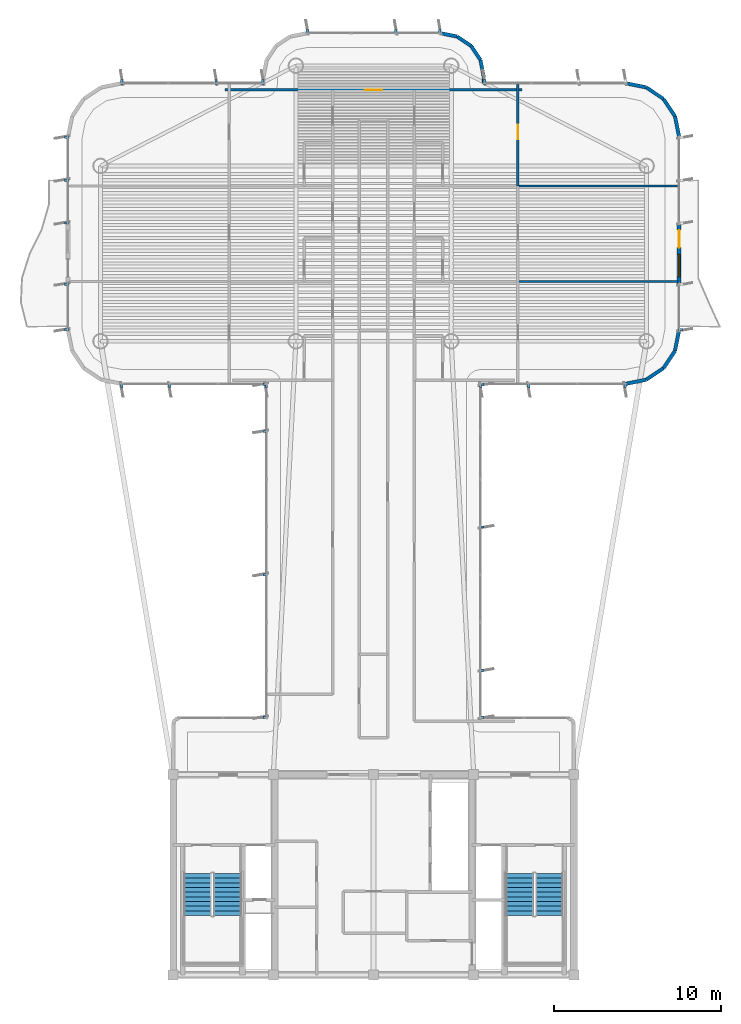
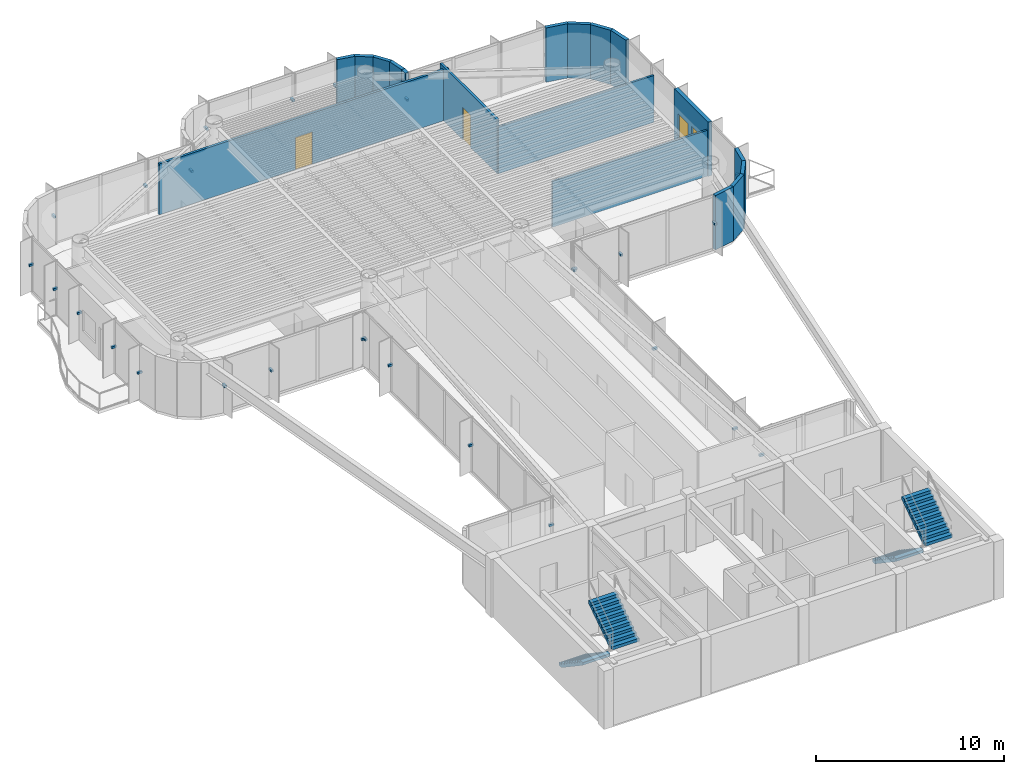
# One storey, part 13 of 16: 27 discrete accessories, 18 walls, 4 stair flights, 3 doors, 1 window, 4 openings, 2 elements without a shape of their own.
"""IFC4 building model written with IfcOpenShell, lengths in metres."""

from ifc_helpers import new_model, si_unit, direction, frame, frame_2d, origin, origin_2d, place, context, subcontext, project, spatial, polyline, rectangle, outline, extrude, source, transform, mapped, material, layer, layer_set, type_object, element, fill, aggregate, save


model = new_model("IFC4")

# Units and contexts
model_context = context("Model", 3, precision=1e-05, world=origin(), true_north=direction((0.0, 1.0)))
body_context = subcontext(model_context, "Body", "Model", "MODEL_VIEW")
ifc_project = project(units=[si_unit("LENGTHUNIT", "METRE"), si_unit("AREAUNIT", "SQUARE_METRE"), si_unit("VOLUMEUNIT", "CUBIC_METRE"), si_unit("PLANEANGLEUNIT", "RADIAN"), si_unit("MASSUNIT", "GRAM", prefix="KILO")], contexts=[model_context])

# Site, building, storey
site_placement = place(None, origin())
site = spatial("IfcSite", under=ifc_project, at=site_placement, CompositionType="ELEMENT")
building_placement = place(site_placement, origin())
building = spatial("IfcBuilding", under=site, at=building_placement, Name="Brelvock Crest Care Tower", CompositionType="ELEMENT")
storey_placement = place(building_placement, frame((0.0, 0.0, 234.360107421875)))
storey = spatial("IfcBuildingStorey", under=building, at=storey_placement, Name="L59", CompositionType="ELEMENT", Elevation=234.360107421875)

# Wall, openings, door, window
ifc_material_1 = material(Name="Precast concrete N40 (40 MPa)", Category="concrete")
ifc_layer_1 = layer(ifc_material_1, 0.239990234375, Name="WL-EX1")
ifc_layer_set_1 = layer_set([ifc_layer_1], Name="Precast concrete N40 (40 MPa)")
wall_type_1 = type_object("IfcWallType", Name="WL-EX1", PredefinedType="SOLIDWALL", material=ifc_layer_set_1)
wall_1_placement = place(storey_placement, frame((54.300048828125, 51.0, 0.0), z_axis=(0.0, 0.0, 1.0), x_axis=(0.0, -1.0, 0.0)))
wall_1 = element("IfcWall", 1, at=wall_1_placement, inside=storey, type_object=wall_type_1, Name="L59 Exterior Spandrel Wall WL-BAL-L59-E", PredefinedType="SOLIDWALL", context=body_context, shape_type="SweptSolid", body=[
    extrude(rectangle(XDim=3.60009765625, YDim=0.239990234375, at=frame_2d((1.800048828125, 0.0))), origin(), (0.0, 0.0, 1.0), 3.52978515625),
])
opening_1_placement = place(wall_1_placement, frame((0.39990234375, 0.0, 0.0)))
opening_1 = element("IfcOpeningElement", 2, at=opening_1_placement, cuts=wall_1, Name="Opening BD-1", PredefinedType="OPENING", context=body_context, shape_type="SweptSolid", body=[
    extrude(rectangle(XDim=1.050048828125, YDim=2.14990234375, at=origin_2d()), frame((0.52490234375, 0.1298828125, 1.074951171875), z_axis=(0.0, -1.0, 0.0), x_axis=(1.0, 0.0, 0.0)), (0.0, 0.0, 1.0), 0.260009765625),
])
opening_2_placement = place(wall_1_placement, frame((1.85009765625, 0.0, 0.85009765625)))
opening_2 = element("IfcOpeningElement", 3, at=opening_2_placement, cuts=wall_1, Name="Opening W-01", PredefinedType="OPENING", context=body_context, shape_type="SweptSolid", body=[
    extrude(rectangle(XDim=1.35009765625, YDim=1.35009765625, at=origin_2d()), frame((0.675048828125, 0.1298828125, 0.675048828125), z_axis=(0.0, -1.0, 0.0), x_axis=(1.0, 0.0, 0.0)), (0.0, 0.0, 1.0), 0.260009765625),
])
ifc_material_2 = material(Name="Dark Glass Double Glazed Low-E", Category="glass")
door_type_1 = type_object("IfcDoorType", Name="DR-BAL1", OperationType="NOTDEFINED", PredefinedType="DOOR", material=ifc_material_2)
shared_shape_1 = source(origin(), body_context, "Body", "SweptSolid", [
    extrude(rectangle(XDim=1.050048828125, YDim=2.14990234375, at=origin_2d()), frame((0.52490234375, 0.02490234375, 1.074951171875), z_axis=(0.0, -1.0, 0.0), x_axis=(1.0, 0.0, 0.0)), (0.0, 0.0, 1.0), 0.050048828125),
])
door_1_placement = place(opening_1_placement, origin())
door_1 = element("IfcDoor", 4, at=door_1_placement, inside=storey, type_object=door_type_1, Name="L59 E Wave Balcony Glazed Door", OperationType="SINGLE_SWING_RIGHT", OverallHeight=2.14990234375, OverallWidth=1.050048828125, PredefinedType="DOOR", context=body_context, shape_type="MappedRepresentation", body=[
    mapped(shared_shape_1, transform((0.0, 0.0, 0.0), x_axis=(1.0, 0.0, 0.0), y_axis=(0.0, 1.0, 0.0), z_axis=(0.0, 0.0, 1.0), scale=1.0)),
])
fill(opening_1, door_1)
window_type = type_object("IfcWindowType", Name="WN-EX1", PartitioningType="SINGLE_PANEL", PredefinedType="WINDOW", material=ifc_material_2)
shared_shape_2 = source(origin(), body_context, "Body", "SweptSolid", [
    extrude(rectangle(XDim=1.35009765625, YDim=1.35009765625, at=origin_2d()), frame((0.675048828125, 0.030029296875, 0.675048828125), z_axis=(0.0, -1.0, 0.0), x_axis=(1.0, 0.0, 0.0)), (0.0, 0.0, 1.0), 0.06005859375),
])
window_placement = place(opening_2_placement, origin())
window = element("IfcWindow", 5, at=window_placement, inside=storey, type_object=window_type, Name="L59 E Suite Casement Window", OverallHeight=1.35009765625, OverallWidth=1.35009765625, PartitioningType="SINGLE_PANEL", PredefinedType="WINDOW", context=body_context, shape_type="MappedRepresentation", body=[
    mapped(shared_shape_2, transform((0.0, 0.0, 0.0), x_axis=(1.0, 0.0, 0.0), y_axis=(0.0, 1.0, 0.0), z_axis=(0.0, 0.0, 1.0), scale=1.0)),
])
fill(opening_2, window)

# Walls
ifc_layer_2 = layer(ifc_material_1, 0.215087890625, Name="WL-EX2")
ifc_layer_set_2 = layer_set([ifc_layer_2], Name="Precast concrete N40 (40 MPa)")
wall_type_2 = type_object("IfcWallType", Name="WL-EX2", PredefinedType="SOLIDWALL", material=ifc_layer_set_2)
wall_2_placement = place(storey_placement, frame((40.0, 62.39990234375, 0.0), z_axis=(0.0, 0.0, 1.0), x_axis=(0.980820570666, -0.194912821943, 0.0)))
element("IfcWall", 6, at=wall_2_placement, inside=storey, type_object=wall_type_2, Name="L59 Rounded Corner Wall 29", PredefinedType="SOLIDWALL", context=body_context, shape_type="SweptSolid", body=[
    extrude(rectangle(XDim=1.0146484375, YDim=0.215087890625, at=frame_2d((0.50732421875, 0.0))), origin(), (0.0, 0.0, 1.0), 3.52978515625),
])
wall_3_placement = place(storey_placement, frame((40.9951171875, 62.2021484375, 0.0), z_axis=(0.0, 0.0, 1.0), x_axis=(0.831346067305, -0.555755086685, 0.0)))
element("IfcWall", 7, at=wall_3_placement, inside=storey, type_object=wall_type_2, Name="L59 Rounded Corner Wall 30", PredefinedType="SOLIDWALL", context=body_context, shape_type="SweptSolid", body=[
    extrude(rectangle(XDim=1.014404296875, YDim=0.215087890625, at=frame_2d((0.50732421875, 0.0))), origin(), (0.0, 0.0, 1.0), 3.52978515625),
])
wall_4_placement = place(storey_placement, frame((41.83837890625, 61.638427734375, 0.0), z_axis=(0.0, 0.0, 1.0), x_axis=(0.555643898837, -0.831420385657, 0.0)))
element("IfcWall", 8, at=wall_4_placement, inside=storey, type_object=wall_type_2, Name="L59 Rounded Corner Wall 31", PredefinedType="SOLIDWALL", context=body_context, shape_type="SweptSolid", body=[
    extrude(rectangle(XDim=1.0146484375, YDim=0.215087890625, at=frame_2d((0.50732421875, 0.0))), origin(), (0.0, 0.0, 1.0), 3.52978515625),
])
wall_5_placement = place(storey_placement, frame((42.402099609375, 60.794921875, 0.0), z_axis=(0.0, 0.0, 1.0), x_axis=(0.195190360752, -0.980765376158, 0.0)))
element("IfcWall", 9, at=wall_5_placement, inside=storey, type_object=wall_type_2, Name="L59 Rounded Corner Wall 32", PredefinedType="SOLIDWALL", context=body_context, shape_type="SweptSolid", body=[
    extrude(rectangle(XDim=1.014404296875, YDim=0.215087890625, at=frame_2d((0.50732421875, 0.0))), origin(), (0.0, 0.0, 1.0), 3.52978515625),
])
wall_6_placement = place(storey_placement, frame((42.60009765625, 59.800048828125, 0.0), z_axis=(0.0, 0.0, 1.0), x_axis=(0.0, -1.0, 0.0)))
element("IfcWall", 10, at=wall_6_placement, inside=storey, type_object=wall_type_2, Name="L59 Rounded Corner Wall 33", PredefinedType="SOLIDWALL", context=body_context, shape_type="SweptSolid", body=[
    extrude(rectangle(XDim=0.400146484375, YDim=0.215087890625, at=frame_2d((0.2001953125, 0.0))), origin(), (0.0, 0.0, 1.0), 3.52978515625),
])
for number, where, z_axis, x_axis, name in (
    (11, (51.10009765625, 59.39990234375, 0.0), (0.0, 0.0, 1.0), (0.980813122964, -0.194950295773, 0.0), "L59 Rounded Corner Wall 35"),
    (12, (52.32470703125, 59.156494140625, 0.0), (0.0, 0.0, 1.0), (0.831387912822, -0.555692485475, 0.0), "L59 Rounded Corner Wall 36"),
    (13, (53.36279296875, 58.462646484375, 0.0), (0.0, 0.0, 1.0), (0.555557312883, -0.831478245117, 0.0), "L59 Rounded Corner Wall 37"),
    (14, (54.056396484375, 57.424560546875, 0.0), (0.0, 0.0, 1.0), (0.195138390419, -0.980775717779, 0.0), "L59 Rounded Corner Wall 38"),
    (15, (54.300048828125, 44.60009765625, 0.0), (0.0, 0.0, 1.0), (-0.195138390419, -0.980775717779, 0.0), "L59 Rounded Corner Wall 40"),
    (16, (54.056396484375, 43.37548828125, 0.0), (0.0, 0.0, 1.0), (-0.555557312883, -0.831478245117, 0.0), "L59 Rounded Corner Wall 41"),
    (17, (53.36279296875, 42.33740234375, 0.0), (0.0, 0.0, 1.0), (-0.831387912822, -0.555692485475, 0.0), "L59 Rounded Corner Wall 42"),
    (18, (52.32470703125, 41.6435546875, 0.0), (0.0, 0.0, 1.0), (-0.980775717779, -0.195138390419, 0.0), "L59 Rounded Corner Wall 43"),
):
    element("IfcWall", number, at=place(storey_placement, frame(where, z_axis=z_axis, x_axis=x_axis)), inside=storey, type_object=wall_type_2, Name=name, PredefinedType="SOLIDWALL", context=body_context, shape_type="SweptSolid", body=[
        extrude(rectangle(XDim=1.24853515625, YDim=0.215087890625, at=frame_2d((0.624267578125, 0.0))), origin(), (0.0, 0.0, 1.0), 3.52978515625),
    ])

# Wall, opening, door
ifc_material_3 = material(Name="Masonry Blockwork Acoustic Partition", Category="masonry")
ifc_layer_3 = layer(ifc_material_3, 0.14990234375, Name="WL-INT1")
ifc_layer_set_3 = layer_set([ifc_layer_3], Name="Masonry Blockwork Acoustic Partition")
wall_type_3 = type_object("IfcWallType", Name="WL-INT1", PredefinedType="PARTITIONING", material=ifc_layer_set_3)
wall_7_placement = place(storey_placement, frame((27.10009765625, 59.0, 0.0), z_axis=(0.0, 0.0, 1.0), x_axis=(1.0, 0.0, 0.0)))
wall_7 = element("IfcWall", 19, at=wall_7_placement, inside=storey, type_object=wall_type_3, Name="L59 Interior Wall WL-RM-L59-NHUB", PredefinedType="PARTITIONING", context=body_context, shape_type="SweptSolid", body=[
    extrude(rectangle(XDim=17.7998046875, YDim=0.14990234375, at=frame_2d((8.89990234375, 0.0))), origin(), (0.0, 0.0, 1.0), 3.307861328125),
])
opening_3_placement = place(wall_7_placement, frame((8.375, 0.0, 0.0)))
opening_3 = element("IfcOpeningElement", 20, at=opening_3_placement, cuts=wall_7, Name="Opening CLD-1", PredefinedType="OPENING", context=body_context, shape_type="SweptSolid", body=[
    extrude(rectangle(XDim=1.050048828125, YDim=2.10009765625, at=origin_2d()), frame((0.52490234375, 0.0849609375, 1.050048828125), z_axis=(0.0, -1.0, 0.0), x_axis=(1.0, 0.0, 0.0)), (0.0, 0.0, 1.0), 0.169921875),
])
ifc_material_4 = material(Name="Engineered Hardwood Timber", Category="wood")
door_type_2 = type_object("IfcDoorType", Name="DR-CLN1", OperationType="NOTDEFINED", PredefinedType="DOOR", material=ifc_material_4)
shared_shape_3 = source(origin(), body_context, "Body", "SweptSolid", [
    extrude(rectangle(XDim=1.050048828125, YDim=2.10009765625, at=origin_2d()), frame((0.52490234375, 0.02490234375, 1.050048828125), z_axis=(0.0, -1.0, 0.0), x_axis=(1.0, 0.0, 0.0)), (0.0, 0.0, 1.0), 0.050048828125),
])
door_2_placement = place(opening_3_placement, origin())
door_2 = element("IfcDoor", 21, at=door_2_placement, inside=storey, type_object=door_type_2, Name="L59 Harbour Lookout Dining Salon Door NHUB", OperationType="SINGLE_SWING_LEFT", OverallHeight=2.10009765625, OverallWidth=1.050048828125, PredefinedType="DOOR", context=body_context, shape_type="MappedRepresentation", body=[
    mapped(shared_shape_3, transform((0.0, 0.0, 0.0), x_axis=(1.0, 0.0, 0.0), y_axis=(0.0, 1.0, 0.0), z_axis=(0.0, 0.0, 1.0), scale=1.0)),
])
fill(opening_3, door_2)

wall_8_placement = place(storey_placement, frame((44.64990234375, 53.258056640625, 0.0), z_axis=(0.0, 0.0, 1.0), x_axis=(0.0, 1.0, 0.0)))
wall_8 = element("IfcWall", 22, at=wall_8_placement, inside=storey, type_object=wall_type_3, Name="L59 Interior Wall WL-RM-L59-ES3S", PredefinedType="PARTITIONING", context=body_context, shape_type="SweptSolid", body=[
    extrude(rectangle(XDim=6.064453125, YDim=0.14990234375, at=frame_2d((3.0322265625, 0.0))), origin(), (0.0, 0.0, 1.0), 3.5),
])
opening_4_placement = place(wall_8_placement, frame((2.781982421875, 0.0, 0.0)))
opening_4 = element("IfcOpeningElement", 23, at=opening_4_placement, cuts=wall_8, Name="Opening ID-1", PredefinedType="OPENING", context=body_context, shape_type="SweptSolid", body=[
    extrude(rectangle(XDim=0.860107421875, YDim=2.10009765625, at=origin_2d()), frame((0.43017578125, 0.0849609375, 1.050048828125), z_axis=(0.0, -1.0, 0.0), x_axis=(1.0, 0.0, 0.0)), (0.0, 0.0, 1.0), 0.169921875),
])
door_type_3 = type_object("IfcDoorType", Name="DR-INT1", OperationType="NOTDEFINED", PredefinedType="DOOR", material=ifc_material_4)
shared_shape_4 = source(origin(), body_context, "Body", "SweptSolid", [
    extrude(rectangle(XDim=0.860107421875, YDim=2.10009765625, at=origin_2d()), frame((0.43017578125, 0.02490234375, 1.050048828125), z_axis=(0.0, -1.0, 0.0), x_axis=(1.0, 0.0, 0.0)), (0.0, 0.0, 1.0), 0.050048828125),
])
door_3_placement = place(opening_4_placement, origin())
door_3 = element("IfcDoor", 24, at=door_3_placement, inside=storey, type_object=door_type_3, Name="L59 Assisted Care Mobility Store Door ES3S", OperationType="SINGLE_SWING_LEFT", OverallHeight=2.10009765625, OverallWidth=0.860107421875, PredefinedType="DOOR", context=body_context, shape_type="MappedRepresentation", body=[
    mapped(shared_shape_4, transform((0.0, 0.0, 0.0), x_axis=(1.0, 0.0, 0.0), y_axis=(0.0, 1.0, 0.0), z_axis=(0.0, 0.0, 1.0), scale=1.0)),
])
fill(opening_4, door_3)

# Walls
ifc_material_5 = material(Name="Gypsum Plasterboard Partition", Category="gypsum")
ifc_layer_4 = layer(ifc_material_5, 0.1201171875, Name="WL-INT2")
ifc_layer_set_4 = layer_set([ifc_layer_4], Name="Gypsum Plasterboard Partition")
wall_type_4 = type_object("IfcWallType", Name="WL-INT2", PredefinedType="PARTITIONING", material=ifc_layer_set_4)
wall_9_placement = place(storey_placement, frame((44.64990234375, 47.51611328125, 0.0), z_axis=(0.0, 0.0, 1.0), x_axis=(1.0, 0.0, 0.0)))
element("IfcWall", 25, at=wall_9_placement, inside=storey, type_object=wall_type_4, Name="L59 Interior Wall WL-BX-L59-ES1S-N", PredefinedType="PARTITIONING", context=body_context, shape_type="SweptSolid", body=[
    extrude(rectangle(XDim=9.570068359375, YDim=0.1201171875, at=frame_2d((4.78515625, 0.0))), origin(), (0.0, 0.0, 1.0), 2.98193359375),
])
wall_10_placement = place(storey_placement, frame((44.64990234375, 53.258056640625, 0.0), z_axis=(0.0, 0.0, 1.0), x_axis=(1.0, 0.0, 0.0)))
element("IfcWall", 26, at=wall_10_placement, inside=storey, type_object=wall_type_4, Name="L59 Interior Wall WL-BX-L59-ES2S-N", PredefinedType="PARTITIONING", context=body_context, shape_type="SweptSolid", body=[
    extrude(rectangle(XDim=9.570068359375, YDim=0.1201171875, at=frame_2d((4.78515625, 0.0))), origin(), (0.0, 0.0, 1.0), 3.054931640625),
])

# Stair, stair flights
ifc_material_6 = material(Name="Concrete N40 (40 MPa)", Category="concrete")
stair_type = type_object("IfcStairType", Name="ST-CORE1", PredefinedType="HALF_TURN_STAIR", material=ifc_material_6)
stair_1_placement = place(storey_placement, origin())
stair_1 = element("IfcStair", 27, at=stair_1_placement, inside=storey, type_object=stair_type, Name="L59 Fire-Isolated Core Stair ST-1", PredefinedType="HALF_TURN_STAIR")
stair_flight_type = type_object("IfcStairFlightType", Name="STF-1", PredefinedType="STRAIGHT", material=ifc_material_6)
stair_flight_1_placement = place(storey_placement, frame((25.469970703125, 12.080078125, 0.0), z_axis=(0.0, 0.0, 1.0), x_axis=(0.0, -1.0, 0.0)))
stair_flight_1 = element("IfcStairFlight", 28, at=stair_flight_1_placement, type_object=stair_flight_type, Name="ST-1 flight 1", NumberOfRisers=10, NumberOfTreads=9, PredefinedType="STRAIGHT", RiserHeight=0.189, TreadLength=0.28, context=body_context, shape_type="SweptSolid", body=[
    extrude(outline(polyline([(-0.00390625, -0.014892578125), (-0.00390625, -0.0078125), (-0.00390625, -0.00048828125), (-0.00390625, 0.0068359375), (-0.00390625, 0.01416015625), (-0.00390625, 0.021484375), (-0.00390625, 0.02880859375), (-0.00390625, 0.035888671875), (-0.00390625, 0.043212890625), (-0.00390625, 0.050537109375), (-0.00390625, 0.057861328125), (-0.00390625, 0.065185546875), (-0.00390625, 0.072509765625), (-0.00390625, 0.07958984375), (-0.00390625, 0.0869140625), (-0.00390625, 0.09423828125), (-0.00390625, 0.1015625), (-0.00390625, 0.10888671875), (-0.00390625, 0.1162109375), (-0.00390625, 0.12353515625), (-0.00390625, 0.130615234375), (-0.00390625, 0.137939453125), (-0.00390625, 0.145263671875), (-0.00390625, 0.152587890625), (-0.00390625, 0.159912109375), (-0.00390625, 0.167236328125), (-0.00390625, 0.17431640625), (-0.00390625, 0.181640625), (-0.00390625, 0.18896484375), (0.0, 0.18896484375), (0.280029296875, 0.18896484375), (0.280029296875, 0.3779296875), (0.56005859375, 0.3779296875), (0.56005859375, 0.56689453125), (0.840087890625, 0.56689453125), (0.840087890625, 0.756103515625), (1.1201171875, 0.756103515625), (1.1201171875, 0.945068359375), (1.39990234375, 0.945068359375), (1.39990234375, 1.134033203125), (1.679931640625, 1.134033203125), (1.679931640625, 1.322998046875), (1.9599609375, 1.322998046875), (1.9599609375, 1.511962890625), (2.239990234375, 1.511962890625), (2.239990234375, 1.700927734375), (2.52001953125, 1.700927734375), (2.52392578125, 1.700927734375), (2.523681640625, 1.70068359375), (2.52392578125, 1.700439453125), (2.523681640625, 1.699951171875), (2.52392578125, 1.69970703125), (2.523681640625, 1.699462890625), (2.52392578125, 1.698974609375), (2.523681640625, 1.69873046875), (2.52392578125, 1.698486328125), (2.523681640625, 1.697998046875), (2.52392578125, 1.69775390625), (2.523681640625, 1.697509765625), (2.52392578125, 1.697021484375), (2.523681640625, 1.69677734375), (2.52392578125, 1.696533203125), (2.523681640625, 1.6962890625), (2.52392578125, 1.69580078125), (2.523681640625, 1.695556640625), (2.52392578125, 1.6953125), (2.523681640625, 1.69482421875), (2.52392578125, 1.694580078125), (2.523681640625, 1.6943359375), (2.52392578125, 1.69384765625), (2.523681640625, 1.693603515625), (2.52392578125, 1.693359375), (2.523681640625, 1.69287109375), (2.52392578125, 1.692626953125), (2.523681640625, 1.6923828125), (2.52392578125, 1.69189453125), (2.52001953125, 1.520263671875), (0.267822265625, 0.0), (0.0, 0.0), (0.0, -0.014892578125), (-0.00390625, -0.014892578125)])), frame((0.0, 0.83984375, 0.0), z_axis=(0.0, -1.0, 0.0), x_axis=(1.0, 0.0, 0.0)), (0.0, 0.0, 1.0), 1.679931640625),
])
stair_flight_2_placement = place(storey_placement, frame((27.27001953125, 9.56005859375, 1.889892578125), z_axis=(0.0, 0.0, 1.0), x_axis=(0.0, 1.0, 0.0)))
stair_flight_2 = element("IfcStairFlight", 29, at=stair_flight_2_placement, type_object=stair_flight_type, Name="ST-1 flight 2", NumberOfRisers=10, NumberOfTreads=9, PredefinedType="STRAIGHT", RiserHeight=0.189, TreadLength=0.28, context=body_context, shape_type="SweptSolid", body=[
    extrude(outline(polyline([(-0.00390625, -0.014892578125), (-0.00390625, -0.0078125), (-0.00390625, -0.00048828125), (-0.00390625, 0.0068359375), (-0.00390625, 0.01416015625), (-0.00390625, 0.021484375), (-0.00390625, 0.02880859375), (-0.00390625, 0.035888671875), (-0.00390625, 0.043212890625), (-0.00390625, 0.050537109375), (-0.00390625, 0.057861328125), (-0.00390625, 0.065185546875), (-0.00390625, 0.072509765625), (-0.00390625, 0.07958984375), (-0.00390625, 0.0869140625), (-0.00390625, 0.09423828125), (-0.00390625, 0.1015625), (-0.00390625, 0.10888671875), (-0.00390625, 0.1162109375), (-0.00390625, 0.12353515625), (-0.00390625, 0.130615234375), (-0.00390625, 0.137939453125), (-0.00390625, 0.145263671875), (-0.00390625, 0.152587890625), (-0.00390625, 0.159912109375), (-0.00390625, 0.167236328125), (-0.00390625, 0.17431640625), (-0.00390625, 0.181640625), (-0.00390625, 0.18896484375), (0.0, 0.18896484375), (0.280029296875, 0.18896484375), (0.280029296875, 0.3779296875), (0.56005859375, 0.3779296875), (0.56005859375, 0.56689453125), (0.840087890625, 0.56689453125), (0.840087890625, 0.756103515625), (1.1201171875, 0.756103515625), (1.1201171875, 0.945068359375), (1.39990234375, 0.945068359375), (1.39990234375, 1.134033203125), (1.679931640625, 1.134033203125), (1.679931640625, 1.322998046875), (1.9599609375, 1.322998046875), (1.9599609375, 1.511962890625), (2.239990234375, 1.511962890625), (2.239990234375, 1.700927734375), (2.52001953125, 1.700927734375), (2.52392578125, 1.700927734375), (2.523681640625, 1.70068359375), (2.52392578125, 1.700439453125), (2.523681640625, 1.699951171875), (2.52392578125, 1.69970703125), (2.523681640625, 1.699462890625), (2.52392578125, 1.698974609375), (2.523681640625, 1.69873046875), (2.52392578125, 1.698486328125), (2.523681640625, 1.697998046875), (2.52392578125, 1.69775390625), (2.523681640625, 1.697509765625), (2.52392578125, 1.697021484375), (2.523681640625, 1.69677734375), (2.52392578125, 1.696533203125), (2.523681640625, 1.6962890625), (2.52392578125, 1.69580078125), (2.523681640625, 1.695556640625), (2.52392578125, 1.6953125), (2.523681640625, 1.69482421875), (2.52392578125, 1.694580078125), (2.523681640625, 1.6943359375), (2.52392578125, 1.69384765625), (2.523681640625, 1.693603515625), (2.52392578125, 1.693359375), (2.523681640625, 1.69287109375), (2.52392578125, 1.692626953125), (2.523681640625, 1.6923828125), (2.52392578125, 1.69189453125), (2.52001953125, 1.520263671875), (0.267822265625, 0.0), (0.0, 0.0), (0.0, -0.014892578125), (-0.00390625, -0.014892578125)])), frame((0.0, 0.83984375, 0.0), z_axis=(0.0, -1.0, 0.0), x_axis=(1.0, 0.0, 0.0)), (0.0, 0.0, 1.0), 1.679931640625),
])
aggregate(stair_1, [stair_flight_1, stair_flight_2])

stair_2_placement = place(storey_placement, origin())
stair_2 = element("IfcStair", 30, at=stair_2_placement, inside=storey, type_object=stair_type, Name="L59 Fire-Isolated Core Stair ST-2", PredefinedType="HALF_TURN_STAIR")
stair_flight_3_placement = place(storey_placement, frame((44.72998046875, 12.080078125, 0.0), z_axis=(0.0, 0.0, 1.0), x_axis=(0.0, -1.0, 0.0)))
stair_flight_3 = element("IfcStairFlight", 31, at=stair_flight_3_placement, type_object=stair_flight_type, Name="ST-2 flight 1", NumberOfRisers=10, NumberOfTreads=9, PredefinedType="STRAIGHT", RiserHeight=0.189, TreadLength=0.28, context=body_context, shape_type="SweptSolid", body=[
    extrude(outline(polyline([(-0.00390625, -0.014892578125), (-0.00390625, -0.0078125), (-0.00390625, -0.00048828125), (-0.00390625, 0.0068359375), (-0.00390625, 0.01416015625), (-0.00390625, 0.021484375), (-0.00390625, 0.02880859375), (-0.00390625, 0.035888671875), (-0.00390625, 0.043212890625), (-0.00390625, 0.050537109375), (-0.00390625, 0.057861328125), (-0.00390625, 0.065185546875), (-0.00390625, 0.072509765625), (-0.00390625, 0.07958984375), (-0.00390625, 0.0869140625), (-0.00390625, 0.09423828125), (-0.00390625, 0.1015625), (-0.00390625, 0.10888671875), (-0.00390625, 0.1162109375), (-0.00390625, 0.12353515625), (-0.00390625, 0.130615234375), (-0.00390625, 0.137939453125), (-0.00390625, 0.145263671875), (-0.00390625, 0.152587890625), (-0.00390625, 0.159912109375), (-0.00390625, 0.167236328125), (-0.00390625, 0.17431640625), (-0.00390625, 0.181640625), (-0.00390625, 0.18896484375), (0.0, 0.18896484375), (0.280029296875, 0.18896484375), (0.280029296875, 0.3779296875), (0.56005859375, 0.3779296875), (0.56005859375, 0.56689453125), (0.840087890625, 0.56689453125), (0.840087890625, 0.756103515625), (1.1201171875, 0.756103515625), (1.1201171875, 0.945068359375), (1.39990234375, 0.945068359375), (1.39990234375, 1.134033203125), (1.679931640625, 1.134033203125), (1.679931640625, 1.322998046875), (1.9599609375, 1.322998046875), (1.9599609375, 1.511962890625), (2.239990234375, 1.511962890625), (2.239990234375, 1.700927734375), (2.52001953125, 1.700927734375), (2.52392578125, 1.700927734375), (2.523681640625, 1.70068359375), (2.52392578125, 1.700439453125), (2.523681640625, 1.699951171875), (2.52392578125, 1.69970703125), (2.523681640625, 1.699462890625), (2.52392578125, 1.698974609375), (2.523681640625, 1.69873046875), (2.52392578125, 1.698486328125), (2.523681640625, 1.697998046875), (2.52392578125, 1.69775390625), (2.523681640625, 1.697509765625), (2.52392578125, 1.697021484375), (2.523681640625, 1.69677734375), (2.52392578125, 1.696533203125), (2.523681640625, 1.6962890625), (2.52392578125, 1.69580078125), (2.523681640625, 1.695556640625), (2.52392578125, 1.6953125), (2.523681640625, 1.69482421875), (2.52392578125, 1.694580078125), (2.523681640625, 1.6943359375), (2.52392578125, 1.69384765625), (2.523681640625, 1.693603515625), (2.52392578125, 1.693359375), (2.523681640625, 1.69287109375), (2.52392578125, 1.692626953125), (2.523681640625, 1.6923828125), (2.52392578125, 1.69189453125), (2.52001953125, 1.520263671875), (0.267822265625, 0.0), (0.0, 0.0), (0.0, -0.014892578125), (-0.00390625, -0.014892578125)])), frame((0.0, 0.83984375, 0.0), z_axis=(0.0, -1.0, 0.0), x_axis=(1.0, 0.0, 0.0)), (0.0, 0.0, 1.0), 1.679931640625),
])
stair_flight_4_placement = place(storey_placement, frame((46.530029296875, 9.56005859375, 1.889892578125), z_axis=(0.0, 0.0, 1.0), x_axis=(0.0, 1.0, 0.0)))
stair_flight_4 = element("IfcStairFlight", 32, at=stair_flight_4_placement, type_object=stair_flight_type, Name="ST-2 flight 2", NumberOfRisers=10, NumberOfTreads=9, PredefinedType="STRAIGHT", RiserHeight=0.189, TreadLength=0.28, context=body_context, shape_type="SweptSolid", body=[
    extrude(outline(polyline([(-0.00390625, -0.014892578125), (-0.00390625, -0.0078125), (-0.00390625, -0.00048828125), (-0.00390625, 0.0068359375), (-0.00390625, 0.01416015625), (-0.00390625, 0.021484375), (-0.00390625, 0.02880859375), (-0.00390625, 0.035888671875), (-0.00390625, 0.043212890625), (-0.00390625, 0.050537109375), (-0.00390625, 0.057861328125), (-0.00390625, 0.065185546875), (-0.00390625, 0.072509765625), (-0.00390625, 0.07958984375), (-0.00390625, 0.0869140625), (-0.00390625, 0.09423828125), (-0.00390625, 0.1015625), (-0.00390625, 0.10888671875), (-0.00390625, 0.1162109375), (-0.00390625, 0.12353515625), (-0.00390625, 0.130615234375), (-0.00390625, 0.137939453125), (-0.00390625, 0.145263671875), (-0.00390625, 0.152587890625), (-0.00390625, 0.159912109375), (-0.00390625, 0.167236328125), (-0.00390625, 0.17431640625), (-0.00390625, 0.181640625), (-0.00390625, 0.18896484375), (0.0, 0.18896484375), (0.280029296875, 0.18896484375), (0.280029296875, 0.3779296875), (0.56005859375, 0.3779296875), (0.56005859375, 0.56689453125), (0.840087890625, 0.56689453125), (0.840087890625, 0.756103515625), (1.1201171875, 0.756103515625), (1.1201171875, 0.945068359375), (1.39990234375, 0.945068359375), (1.39990234375, 1.134033203125), (1.679931640625, 1.134033203125), (1.679931640625, 1.322998046875), (1.9599609375, 1.322998046875), (1.9599609375, 1.511962890625), (2.239990234375, 1.511962890625), (2.239990234375, 1.700927734375), (2.52001953125, 1.700927734375), (2.52392578125, 1.700927734375), (2.523681640625, 1.70068359375), (2.52392578125, 1.700439453125), (2.523681640625, 1.699951171875), (2.52392578125, 1.69970703125), (2.523681640625, 1.699462890625), (2.52392578125, 1.698974609375), (2.523681640625, 1.69873046875), (2.52392578125, 1.698486328125), (2.523681640625, 1.697998046875), (2.52392578125, 1.69775390625), (2.523681640625, 1.697509765625), (2.52392578125, 1.697021484375), (2.523681640625, 1.69677734375), (2.52392578125, 1.696533203125), (2.523681640625, 1.6962890625), (2.52392578125, 1.69580078125), (2.523681640625, 1.695556640625), (2.52392578125, 1.6953125), (2.523681640625, 1.69482421875), (2.52392578125, 1.694580078125), (2.523681640625, 1.6943359375), (2.52392578125, 1.69384765625), (2.523681640625, 1.693603515625), (2.52392578125, 1.693359375), (2.523681640625, 1.69287109375), (2.52392578125, 1.692626953125), (2.523681640625, 1.6923828125), (2.52392578125, 1.69189453125), (2.52001953125, 1.520263671875), (0.267822265625, 0.0), (0.0, 0.0), (0.0, -0.014892578125), (-0.00390625, -0.014892578125)])), frame((0.0, 0.83984375, 0.0), z_axis=(0.0, -1.0, 0.0), x_axis=(1.0, 0.0, 0.0)), (0.0, 0.0, 1.0), 1.679931640625),
])
aggregate(stair_2, [stair_flight_3, stair_flight_4])

# Discrete accessories
ifc_material_7 = material(Name="Steel Grade 350", Category="steel")
discrete_accessory_type = type_object("IfcDiscreteAccessoryType", Name="ACC-BRK1", PredefinedType="BRACKET", material=ifc_material_7)
shared_shape_5 = source(origin(), body_context, "Body", "SweptSolid", [
    extrude(rectangle(XDim=0.280029296875, YDim=0.139892578125, at=origin_2d()), origin(), (0.0, 0.0, 1.0), 0.139892578125),
])
for number, where, z_axis, x_axis, name in (
    (33, (29.52001953125, 21.429931640625, 1.69482421875), (0.0, 0.0, 1.0), (-1.0, 0.0, 0.0), "L59 Facade Fin Bracket E11-01"),
    (34, (29.52001953125, 29.971435546875, 1.69482421875), (0.0, 0.0, 1.0), (-1.0, 0.0, 0.0), "L59 Facade Fin Bracket E11-04"),
    (35, (29.52001953125, 38.54296875, 1.69482421875), (0.0, 0.0, 1.0), (-1.0, 0.0, 0.0), "L59 Facade Fin Bracket E11-07"),
    (36, (29.52001953125, 41.3701171875, 1.69482421875), (0.0, 0.0, 1.0), (-1.0, 0.0, 0.0), "L59 Facade Fin Bracket E11-08"),
    (37, (29.570068359375, 41.320068359375, 1.69482421875), (0.0, 0.0, 1.0), (0.0, -1.0, 0.0), "L59 Facade Fin Bracket E12-01"),
    (38, (23.800048828125, 41.320068359375, 1.69482421875), (0.0, 0.0, 1.0), (0.0, -1.0, 0.0), "L59 Facade Fin Bracket E12-03"),
    (39, (20.929931640625, 41.320068359375, 1.69482421875), (0.0, 0.0, 1.0), (0.0, -1.0, 0.0), "L59 Facade Fin Bracket E12-04"),
    (40, (17.6201171875, 44.6298828125, 1.69482421875), (0.0, 0.0, 1.0), (-1.0, 0.0, 0.0), "L59 Facade Fin Bracket E17A-01"),
    (41, (17.6201171875, 47.3701171875, 1.69482421875), (0.0, 0.0, 1.0), (-1.0, 0.0, 0.0), "L59 Facade Fin Bracket E17A-02"),
    (42, (17.6201171875, 51.030029296875, 1.69482421875), (0.0, 0.0, 1.0), (-1.0, 0.0, 0.0), "L59 Facade Fin Bracket E17B-01"),
    (43, (17.6201171875, 53.60009765625, 1.69482421875), (0.0, 0.0, 1.0), (-1.0, 0.0, 0.0), "L59 Facade Fin Bracket E17B-02"),
    (44, (17.6201171875, 56.169921875, 1.69482421875), (0.0, 0.0, 1.0), (-1.0, 0.0, 0.0), "L59 Facade Fin Bracket E17B-03"),
    (45, (20.929931640625, 59.47998046875, 1.69482421875), (0.0, 0.0, 1.0), (0.0, 1.0, 0.0), "L59 Facade Fin Bracket E22-01"),
    (46, (26.566650390625, 59.47998046875, 1.69482421875), (0.0, 0.0, 1.0), (0.0, 1.0, 0.0), "L59 Facade Fin Bracket E22-03"),
    (47, (29.3701171875, 59.47998046875, 1.69482421875), (0.0, 0.0, 1.0), (0.0, 1.0, 0.0), "L59 Facade Fin Bracket E22-04"),
    (48, (32.030029296875, 62.47998046875, 1.69482421875), (0.0, 0.0, 1.0), (0.0, 1.0, 0.0), "L59 Facade Fin Bracket E28-01"),
    (49, (37.333251953125, 62.47998046875, 1.69482421875), (0.0, 0.0, 1.0), (0.0, 1.0, 0.0), "L59 Facade Fin Bracket E28-03"),
    (50, (39.969970703125, 62.47998046875, 1.69482421875), (0.0, 0.0, 1.0), (0.0, 1.0, 0.0), "L59 Facade Fin Bracket E28-04"),
    (51, (42.6298828125, 59.47998046875, 1.69482421875), (0.0, 0.0, 1.0), (0.0, 1.0, 0.0), "L59 Facade Fin Bracket E34-01"),
    (52, (54.3798828125, 44.6298828125, 1.69482421875), (0.0, 0.0, 1.0), (1.0, 0.0, 0.0), "L59 Facade Fin Bracket E39B-02"),
    (53, (51.070068359375, 41.320068359375, 1.69482421875), (0.0, 0.0, 1.0), (0.0, -1.0, 0.0), "L59 Facade Fin Bracket E44-01"),
    (54, (45.300048828125, 41.320068359375, 1.69482421875), (0.0, 0.0, 1.0), (0.0, -1.0, 0.0), "L59 Facade Fin Bracket E44-03"),
    (55, (42.429931640625, 41.320068359375, 1.69482421875), (0.0, 0.0, 1.0), (0.0, -1.0, 0.0), "L59 Facade Fin Bracket E44-04"),
    (56, (42.47998046875, 41.3701171875, 1.69482421875), (0.0, 0.0, 1.0), (1.0, 0.0, 0.0), "L59 Facade Fin Bracket E45-01"),
    (57, (42.47998046875, 32.82861328125, 1.69482421875), (0.0, 0.0, 1.0), (1.0, 0.0, 0.0), "L59 Facade Fin Bracket E45-04"),
    (58, (42.47998046875, 24.257080078125, 1.69482421875), (0.0, 0.0, 1.0), (1.0, 0.0, 0.0), "L59 Facade Fin Bracket E45-07"),
    (59, (42.47998046875, 21.429931640625, 1.69482421875), (0.0, 0.0, 1.0), (1.0, 0.0, 0.0), "L59 Facade Fin Bracket E45-08"),
):
    element("IfcDiscreteAccessory", number, at=place(storey_placement, frame(where, z_axis=z_axis, x_axis=x_axis)), inside=storey, type_object=discrete_accessory_type, Name=name, PredefinedType="BRACKET", context=body_context, shape_type="MappedRepresentation", body=[
        mapped(shared_shape_5, transform((0.0, 0.0, 0.0), x_axis=(1.0, 0.0, 0.0), y_axis=(0.0, 1.0, 0.0), z_axis=(0.0, 0.0, 1.0), scale=1.0)),
    ])

save(model, "model.ifc")
